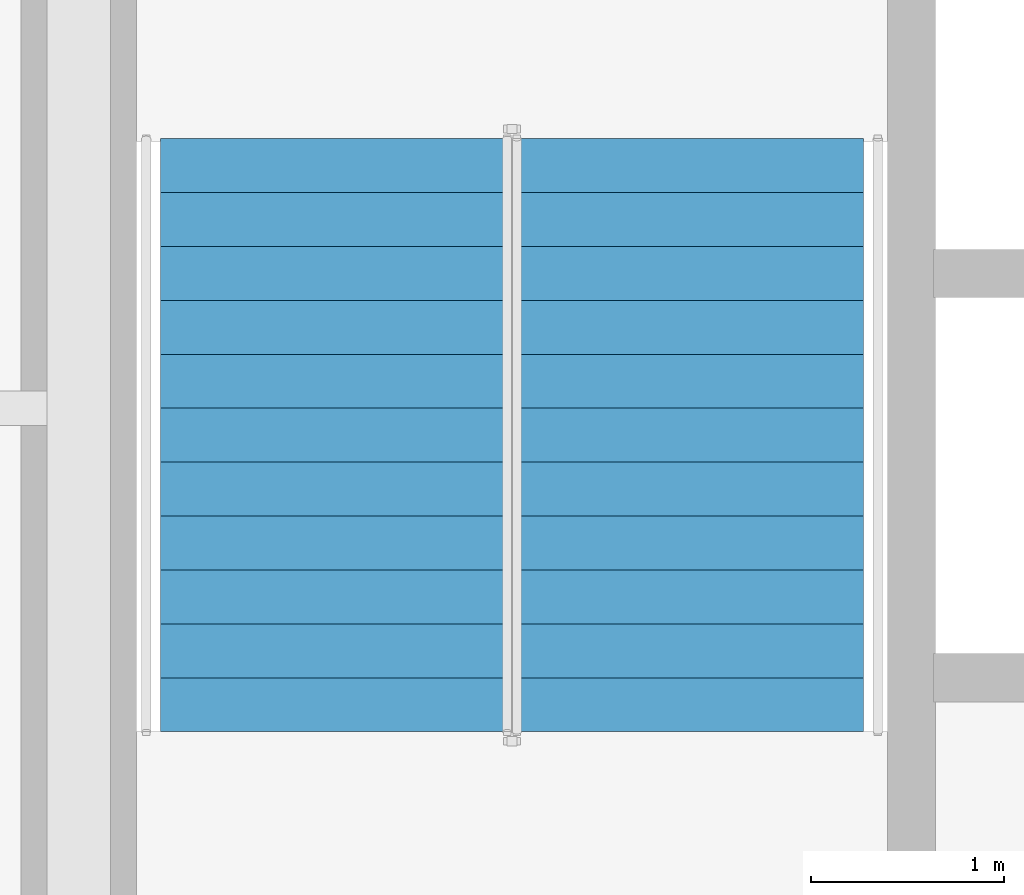
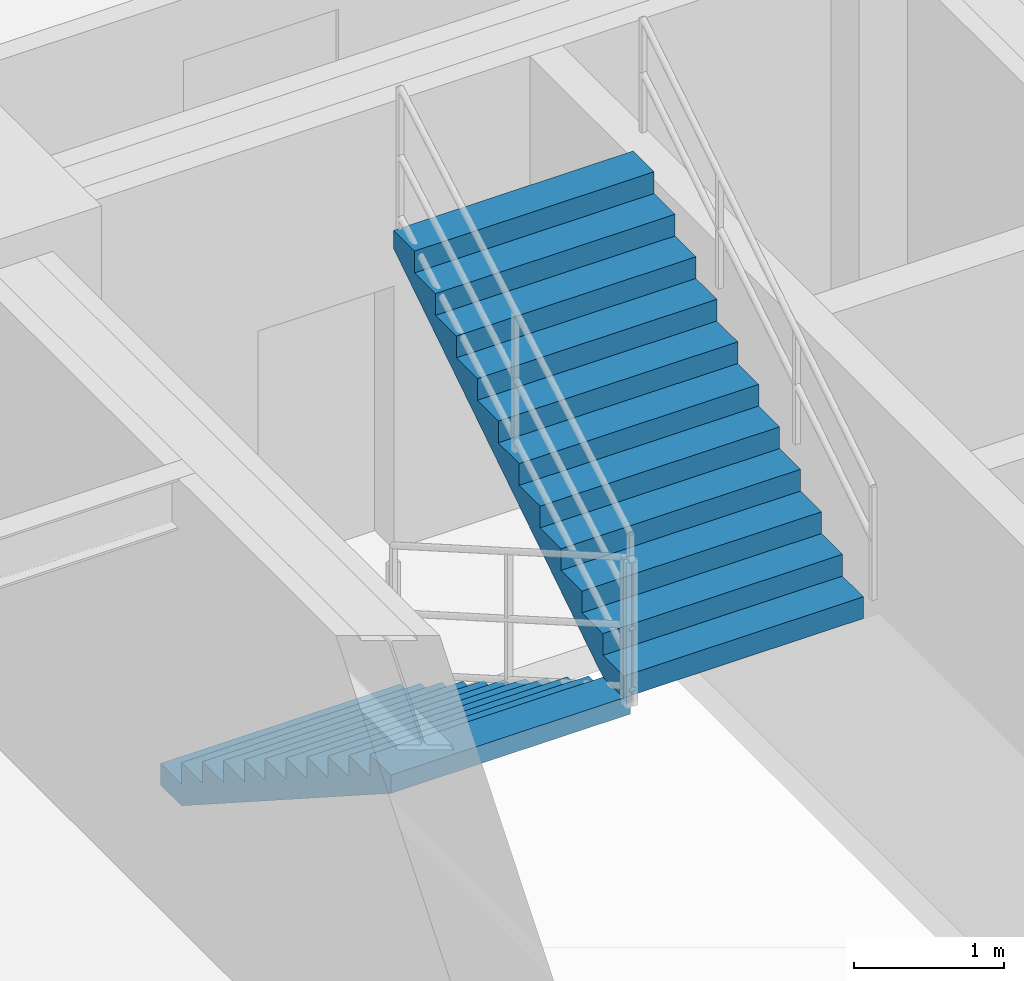
# One storey, part 7 of 10: 2 stair flights, 1 element without a shape of its own.
"""IFC4 building model written with IfcOpenShell, lengths in metres."""

from ifc_helpers import new_model, entity, si_unit, converted_unit, direction, frame, origin_with_axes, place, context, subcontext, project, spatial, polyline, outline, extrude, material, type_object, element, aggregate, save


model = new_model("IFC4")

# Units and contexts
model_context = context("Model", 3, precision=1e-05, world=origin_with_axes(), true_north=direction((0.0, 1.0)))
body_context = subcontext(model_context, "Body", "Model", "MODEL_VIEW")
ifc_project = project(units=[si_unit("LENGTHUNIT", "METRE"), si_unit("AREAUNIT", "SQUARE_METRE"), si_unit("VOLUMEUNIT", "CUBIC_METRE"), converted_unit("PLANEANGLEUNIT", "DEGREE", entity("IfcPlaneAngleMeasure", 0.017453292519943295), si_unit("PLANEANGLEUNIT", "RADIAN"), dimensions=[0, 0, 0, 0, 0, 0, 0]), si_unit("MASSUNIT", "GRAM", prefix="KILO"), si_unit("THERMODYNAMICTEMPERATUREUNIT", "KELVIN")], contexts=[model_context])

# Site, building, storey
site_placement = place(None, origin_with_axes())
site = spatial("IfcSite", under=ifc_project, at=site_placement, CompositionType="ELEMENT")
building_placement = place(site_placement, origin_with_axes())
building = spatial("IfcBuilding", under=site, at=building_placement, Name="Varnlund Millrace Tower", CompositionType="ELEMENT")
storey_placement = place(building_placement, frame((0.0, 0.0, 44.4), z_axis=(0.0, 0.0, 1.0), x_axis=(1.0, 0.0, 0.0)))
storey = spatial("IfcBuildingStorey", under=building, at=storey_placement, Name="L10", CompositionType="ELEMENT", Elevation=44.4)

# Stair, stair flights
ifc_material_1 = material(Name="Concrete C50/60", Category="concrete")
stair_type = type_object("IfcStairType", Name="Type-Stair-Dogleg-185-390", PredefinedType="HALF_TURN_STAIR", material=ifc_material_1)
stair_placement = place(storey_placement, origin_with_axes())
stair = element("IfcStair", 1, at=stair_placement, inside=storey, type_object=stair_type, Name="Type-Stair-Dogleg-185-390", PredefinedType="HALF_TURN_STAIR")
ifc_material_2 = material(Name="Precast concrete C50/60", Category="concrete")
stair_flight_type = type_object("IfcStairFlightType", Name="Type-Dogleg-Run-185-390", PredefinedType="STRAIGHT", material=ifc_material_2)
stair_flight_1_placement = place(storey_placement, frame((13.675, 35.9, 0.0), z_axis=(-1.0, 0.0, 0.0), x_axis=(0.0, -1.0, 0.0)))
stair_flight_1 = element("IfcStairFlight", 2, at=stair_flight_1_placement, type_object=stair_flight_type, Name="ST-A2 flight 1", NumberOfRisers=11, NumberOfTreads=11, PredefinedType="STRAIGHT", RiserHeight=0.177273, TreadLength=0.28, context=body_context, shape_type="SweptSolid", body=[
    extrude(outline(polyline([(0.0, 0.0), (0.0, 0.177273), (0.28, 0.177273), (0.28, 0.354545), (0.56, 0.354545), (0.56, 0.531818), (0.84, 0.531818), (0.84, 0.709091), (1.12, 0.709091), (1.12, 0.886364), (1.4, 0.886364), (1.4, 1.063636), (1.68, 1.063636), (1.68, 1.240909), (1.96, 1.240909), (1.96, 1.418182), (2.24, 1.418182), (2.24, 1.595454), (2.52, 1.595454), (2.52, 1.772727), (2.8, 1.772727), (2.8, 1.95), (3.08, 1.95), (3.08, 1.8), (0.28, 0.0), (0.0, 0.0)])), origin_with_axes(), (0.0, 0.0, 1.0), 1.85),
])
stair_flight_2_placement = place(storey_placement, frame((13.625, 32.82, 1.95), z_axis=(1.0, 0.0, 0.0), x_axis=(0.0, 1.0, 0.0)))
stair_flight_2 = element("IfcStairFlight", 3, at=stair_flight_2_placement, type_object=stair_flight_type, Name="ST-A2 flight 2", NumberOfRisers=11, NumberOfTreads=11, PredefinedType="STRAIGHT", RiserHeight=0.177273, TreadLength=0.28, context=body_context, shape_type="SweptSolid", body=[
    extrude(outline(polyline([(0.0, 0.0), (0.0, 0.177273), (0.28, 0.177273), (0.28, 0.354545), (0.56, 0.354545), (0.56, 0.531818), (0.84, 0.531818), (0.84, 0.709091), (1.12, 0.709091), (1.12, 0.886364), (1.4, 0.886364), (1.4, 1.063636), (1.68, 1.063636), (1.68, 1.240909), (1.96, 1.240909), (1.96, 1.418182), (2.24, 1.418182), (2.24, 1.595454), (2.52, 1.595454), (2.52, 1.772727), (2.8, 1.772727), (2.8, 1.95), (3.08, 1.95), (3.08, 1.8), (0.28, 0.0), (0.0, 0.0)])), origin_with_axes(), (0.0, 0.0, 1.0), 1.85),
])
aggregate(stair, [stair_flight_1, stair_flight_2])

save(model, "model.ifc")
